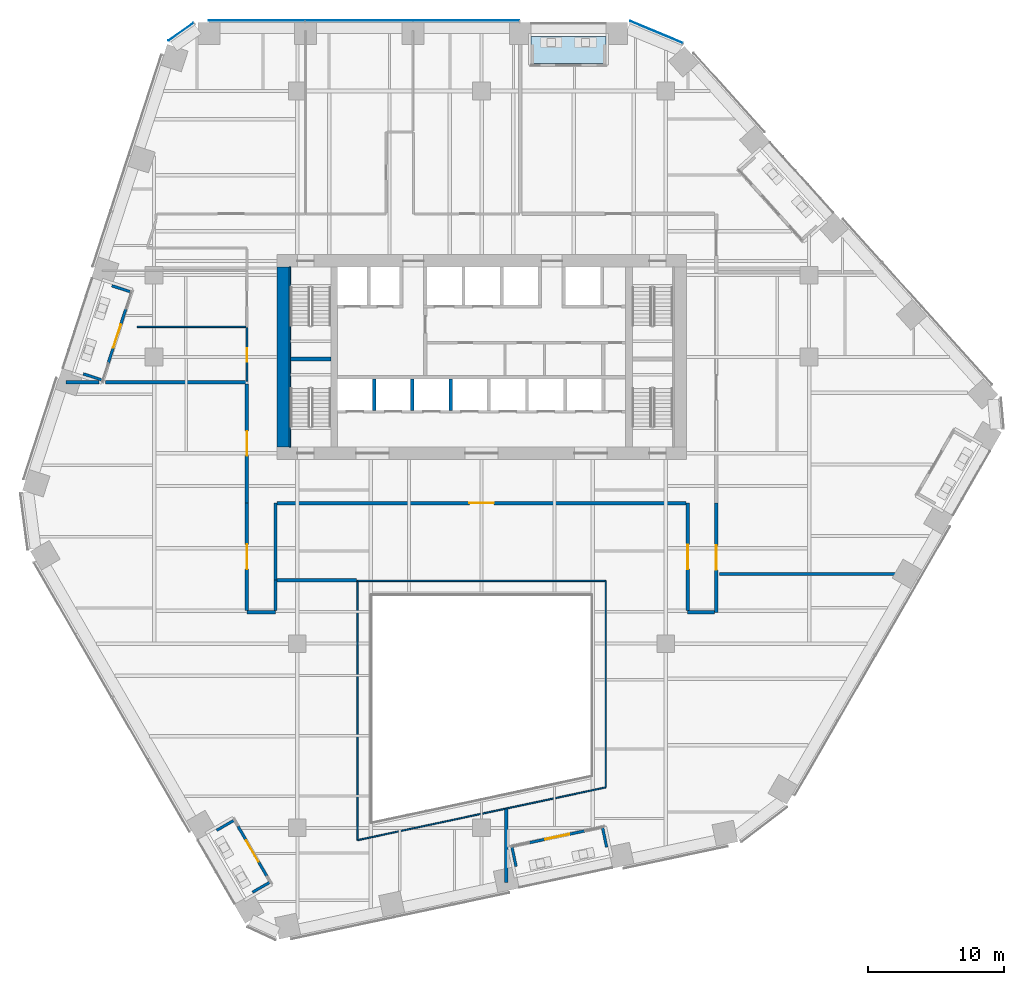
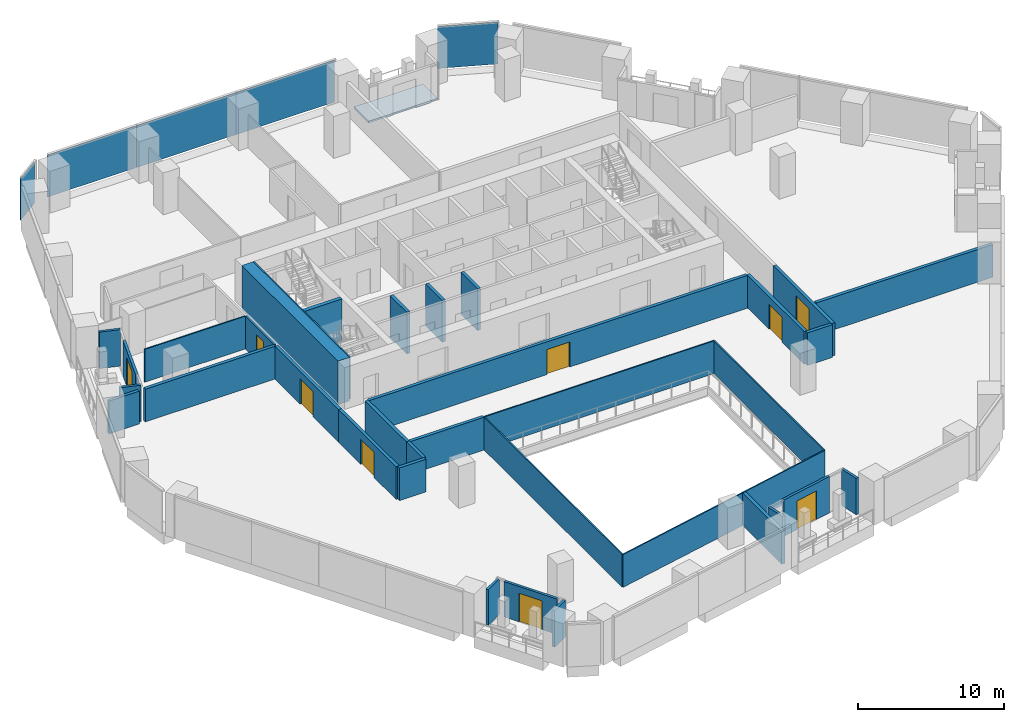
# One storey, part 20 of 28: 35 walls, 9 doors, 5 plates, 1 slab, 9 openings, 3 elements without a shape of their own.
"""IFC4 building model written with IfcOpenShell, lengths in metres."""

from ifc_helpers import new_model, si_unit, direction, frame, frame_2d, origin, origin_2d, place, context, subcontext, project, spatial, polyline, rectangle, outline, extrude, material, layer, layer_set, type_object, element, fill, aggregate, save


model = new_model("IFC4")

# Units and contexts
model_context = context("Model", 3, precision=1e-05, world=origin(), true_north=direction((0.0, 1.0)))
body_context = subcontext(model_context, "Body", "Model", "MODEL_VIEW")
ifc_project = project(units=[si_unit("LENGTHUNIT", "METRE"), si_unit("AREAUNIT", "SQUARE_METRE"), si_unit("VOLUMEUNIT", "CUBIC_METRE"), si_unit("PLANEANGLEUNIT", "RADIAN"), si_unit("MASSUNIT", "GRAM", prefix="KILO")], contexts=[model_context])

# Site, building, storey
site_placement = place(None, origin())
site = spatial("IfcSite", under=ifc_project, at=site_placement, CompositionType="ELEMENT")
building_placement = place(site_placement, origin())
building = spatial("IfcBuilding", under=site, at=building_placement, Name="Isthmus Gate Tower", CompositionType="ELEMENT")
storey_placement = place(building_placement, frame((0.0, 0.0, 98.89990234375)))
storey = spatial("IfcBuildingStorey", under=building, at=storey_placement, Name="L23", CompositionType="ELEMENT", Elevation=98.89990234375)

# Curtain wall, plates
ifc_material_1 = material(Name="Aluminium, pale champagne anodised", Category="aluminium")
ifc_layer_1 = layer(ifc_material_1, 0.199951171875)
ifc_layer_set_1 = layer_set([ifc_layer_1], Name="CW-1 UNITISED CURTAIN WALL 200 DEEP")
curtain_wall_type = type_object("IfcCurtainWallType", Name="CW-1 UNITISED CURTAIN WALL 200 DEEP", PredefinedType="NOTDEFINED", material=ifc_layer_set_1)
curtain_wall_1_placement = place(storey_placement, origin())
curtain_wall_1 = element("IfcCurtainWall", 1, at=curtain_wall_1_placement, inside=storey, type_object=curtain_wall_type, Name="CW-1 N L23", PredefinedType="NOTDEFINED")
ifc_material_2 = material(Name="Laminated low-iron glass, pale blue tint", Category="glass")
ifc_layer_2 = layer(ifc_material_2, 0.0400390625)
ifc_layer_set_2 = layer_set([ifc_layer_2], Name="CW-1 CLEAR GLASS LITE 40")
plate_type = type_object("IfcPlateType", Name="CW-1 CLEAR GLASS LITE 40", PredefinedType="CURTAIN_PANEL", material=ifc_layer_set_2)
plate_1_placement = place(storey_placement, frame((-1.13232421875, 32.179931640625, 0.0), z_axis=(0.0, 0.0, 1.0), x_axis=(-1.0, 0.0, 0.0)))
plate_1 = element("IfcPlate", 2, at=plate_1_placement, type_object=plate_type, Name="CW-1 glass lite", PredefinedType="CURTAIN_PANEL", context=body_context, shape_type="SweptSolid", body=[
    extrude(rectangle(XDim=7.8095703125, YDim=0.0400390625, at=origin_2d()), origin(), (0.0, 0.0, 1.0), 3.5),
])
plate_2_placement = place(storey_placement, frame((-8.971923828125, 32.179931640625, 0.0), z_axis=(0.0, 0.0, 1.0), x_axis=(-1.0, 0.0, 0.0)))
plate_2 = element("IfcPlate", 3, at=plate_2_placement, type_object=plate_type, Name="CW-1 glass lite", PredefinedType="CURTAIN_PANEL", context=body_context, shape_type="SweptSolid", body=[
    extrude(rectangle(XDim=7.86962890625, YDim=0.0400390625, at=origin_2d()), origin(), (0.0, 0.0, 1.0), 3.5),
])
plate_3_placement = place(storey_placement, frame((-16.471435546875, 32.179931640625, 0.0), z_axis=(0.0, 0.0, 1.0), x_axis=(-1.0, 0.0, 0.0)))
plate_3 = element("IfcPlate", 4, at=plate_3_placement, type_object=plate_type, Name="CW-1 glass lite", PredefinedType="CURTAIN_PANEL", context=body_context, shape_type="SweptSolid", body=[
    extrude(rectangle(XDim=7.009521484375, YDim=0.0400390625, at=origin_2d()), origin(), (0.0, 0.0, 1.0), 3.5),
])
aggregate(curtain_wall_1, [plate_1, plate_2, plate_3])

# Curtain wall, plate
curtain_wall_2_placement = place(storey_placement, origin())
curtain_wall_2 = element("IfcCurtainWall", 5, at=curtain_wall_2_placement, inside=storey, type_object=curtain_wall_type, Name="CW-1 N-NW L23", PredefinedType="NOTDEFINED")
plate_4_placement = place(storey_placement, frame((-22.025146484375, 31.341552734375, 0.0), z_axis=(0.0, 0.0, 1.0), x_axis=(-0.81785959165, -0.57541783805, 0.0)))
plate_4 = element("IfcPlate", 6, at=plate_4_placement, type_object=plate_type, Name="CW-1 glass lite", PredefinedType="CURTAIN_PANEL", context=body_context, shape_type="SweptSolid", body=[
    extrude(rectangle(XDim=2.258544921875, YDim=0.0400390625, at=origin_2d()), origin(), (0.0, 0.0, 1.0), 3.5),
])
aggregate(curtain_wall_2, [plate_4])

curtain_wall_3_placement = place(storey_placement, origin())
curtain_wall_3 = element("IfcCurtainWall", 7, at=curtain_wall_3_placement, inside=storey, type_object=curtain_wall_type, Name="CW-1 NE-N L23", PredefinedType="NOTDEFINED")
plate_5_placement = place(storey_placement, frame((12.816650390625, 31.315673828125, 0.0), z_axis=(0.0, 0.0, 1.0), x_axis=(-0.923353128387, 0.383951820282, 0.0)))
plate_5 = element("IfcPlate", 8, at=plate_5_placement, type_object=plate_type, Name="CW-1 glass lite", PredefinedType="CURTAIN_PANEL", context=body_context, shape_type="SweptSolid", body=[
    extrude(rectangle(XDim=4.181396484375, YDim=0.0400390625, at=origin_2d()), origin(), (0.0, 0.0, 1.0), 3.5),
])
aggregate(curtain_wall_3, [plate_5])

# Slab
ifc_material_3 = material(Name="Concrete f'c 50 MPa", Category="concrete")
ifc_layer_3 = layer(ifc_material_3, 0.14990234375)
ifc_layer_set_3 = layer_set([ifc_layer_3], Name="LOGGIA FLOOR SLAB 150")
slab_type = type_object("IfcSlabType", Name="LOGGIA FLOOR SLAB 150", PredefinedType="FLOOR", material=ifc_layer_set_3)
slab_placement = place(storey_placement, frame((0.0, 0.0, -0.14990234375)))
element("IfcSlab", 9, at=slab_placement, inside=storey, type_object=slab_type, Name="LOGGIA FLOOR", PredefinedType="FLOOR", context=body_context, shape_type="SweptSolid", body=[
    extrude(outline(polyline([(9.101806640625, 31.0), (3.63232421875, 31.0), (3.63232421875, 29.0), (9.101806640625, 29.0), (9.101806640625, 31.0)])), origin(), (0.0, 0.0, 1.0), 0.14990234375),
])

# Wall, opening, door
ifc_material_4 = material(Name="Double-leaf acoustic stud wall, fire-rated", Category="gypsum")
ifc_layer_4 = layer(ifc_material_4, 0.25)
ifc_layer_set_4 = layer_set([ifc_layer_4], Name="ACOUSTIC WALL 250 60 MIN")
wall_type_1 = type_object("IfcWallType", Name="ACOUSTIC WALL 250 60 MIN", PredefinedType="PARTITIONING", material=ifc_layer_set_4)
wall_1_placement = place(storey_placement, frame((14.97509765625, -3.199951171875, 0.0), z_axis=(0.0, 0.0, 1.0), x_axis=(-1.0, 0.0, 0.0)))
wall_1 = element("IfcWall", 10, at=wall_1_placement, inside=storey, type_object=wall_type_1, Name="L23 Acoustic Wall 250 60 Min", PredefinedType="PARTITIONING", context=body_context, shape_type="SweptSolid", body=[
    extrude(rectangle(XDim=29.9501953125, YDim=0.25, at=frame_2d((14.97509765625, 0.0))), origin(), (0.0, 0.0, 1.0), 2.7412109375),
])
opening_1_placement = place(wall_1_placement, frame((14.074951171875, 0.0, 0.0)))
opening_1 = element("IfcOpeningElement", 11, at=opening_1_placement, cuts=wall_1, Name="Opening DT-T2B-12", PredefinedType="OPENING", context=body_context, shape_type="SweptSolid", body=[
    extrude(rectangle(XDim=1.800048828125, YDim=2.10009765625, at=frame_2d((0.89990234375, 1.050048828125))), frame((0.0, 0.135009765625, 0.0), z_axis=(0.0, -1.0, 0.0), x_axis=(1.0, 0.0, 0.0)), (0.0, 0.0, 1.0), 0.27001953125),
])
ifc_material_5 = material(Name="Solid core timber door leaf, fire-rated", Category="wood")
door_type_1 = type_object("IfcDoorType", Name="FIRE DOOR ACOUSTIC ROOM 1800 X 2100 60 MIN", OperationType="DOUBLE_DOOR_DOUBLE_SWING", PredefinedType="DOOR", material=ifc_material_5)
door_1_placement = place(opening_1_placement, origin())
door_1 = element("IfcDoor", 12, at=door_1_placement, inside=storey, type_object=door_type_1, Name="L23 room door", OperationType="DOUBLE_DOOR_DOUBLE_SWING", OverallHeight=2.10009765625, OverallWidth=1.800048828125, PredefinedType="DOOR", context=body_context, shape_type="SweptSolid", body=[
    extrude(rectangle(XDim=1.800048828125, YDim=2.10009765625, at=frame_2d((0.89990234375, 1.050048828125))), frame((0.0, 0.02490234375, 0.0), z_axis=(0.0, -1.0, 0.0), x_axis=(1.0, 0.0, 0.0)), (0.0, 0.0, 1.0), 0.050048828125),
])
fill(opening_1, door_1)

wall_2_placement = place(storey_placement, frame((17.197998046875, -3.18798828125, 0.0), z_axis=(0.0, 0.0, 1.0), x_axis=(0.0, -1.0, 0.0)))
wall_2 = element("IfcWall", 13, at=wall_2_placement, inside=storey, type_object=wall_type_1, Name="L23 Acoustic Wall 250 60 Min", PredefinedType="PARTITIONING", context=body_context, shape_type="SweptSolid", body=[
    extrude(rectangle(XDim=8.011962890625, YDim=0.25, at=frame_2d((4.005859375, 0.0))), origin(), (0.0, 0.0, 1.0), 2.7412109375),
])
opening_2_placement = place(wall_2_placement, frame((3.10595703125, 0.0, 0.0)))
opening_2 = element("IfcOpeningElement", 14, at=opening_2_placement, cuts=wall_2, Name="Opening DT-T2B-09", PredefinedType="OPENING", context=body_context, shape_type="SweptSolid", body=[
    extrude(rectangle(XDim=1.800048828125, YDim=2.10009765625, at=frame_2d((0.89990234375, 1.050048828125))), frame((0.0, 0.135009765625, 0.0), z_axis=(0.0, -1.0, 0.0), x_axis=(1.0, 0.0, 0.0)), (0.0, 0.0, 1.0), 0.27001953125),
])
door_2_placement = place(opening_2_placement, origin())
door_2 = element("IfcDoor", 15, at=door_2_placement, inside=storey, type_object=door_type_1, Name="L23 room door", OperationType="DOUBLE_DOOR_DOUBLE_SWING", OverallHeight=2.10009765625, OverallWidth=1.800048828125, PredefinedType="DOOR", context=body_context, shape_type="SweptSolid", body=[
    extrude(rectangle(XDim=1.800048828125, YDim=2.10009765625, at=frame_2d((0.89990234375, 1.050048828125))), frame((0.0, 0.02490234375, 0.0), z_axis=(0.0, -1.0, 0.0), x_axis=(1.0, 0.0, 0.0)), (0.0, 0.0, 1.0), 0.050048828125),
])
fill(opening_2, door_2)

# Walls
wall_3_placement = place(storey_placement, frame((-15.10009765625, -11.199951171875, 0.0), z_axis=(0.0, 0.0, 1.0), x_axis=(-1.0, 0.0, 0.0)))
element("IfcWall", 16, at=wall_3_placement, inside=storey, type_object=wall_type_1, Name="L23 Acoustic Wall 250 60 Min", PredefinedType="PARTITIONING", context=body_context, shape_type="SweptSolid", body=[
    extrude(rectangle(XDim=2.097900390625, YDim=0.25, at=frame_2d((1.048828125, 0.0))), origin(), (0.0, 0.0, 1.0), 2.7412109375),
])
wall_4_placement = place(storey_placement, frame((-15.10009765625, -8.85009765625, 0.0), z_axis=(0.0, 0.0, 1.0), x_axis=(0.0, -1.0, 0.0)))
element("IfcWall", 17, at=wall_4_placement, inside=storey, type_object=wall_type_1, Name="L23 Acoustic Wall 250 60 Min", PredefinedType="PARTITIONING", context=body_context, shape_type="SweptSolid", body=[
    extrude(rectangle(XDim=2.224853515625, YDim=0.25, at=frame_2d((1.1123046875, 0.0))), origin(), (0.0, 0.0, 1.0), 2.7412109375),
])
wall_5_placement = place(storey_placement, frame((-15.10009765625, -3.199951171875, 0.0), z_axis=(0.0, 0.0, 1.0), x_axis=(0.0, -1.0, 0.0)))
element("IfcWall", 18, at=wall_5_placement, inside=storey, type_object=wall_type_1, Name="L23 Acoustic Wall 250 60 Min", PredefinedType="PARTITIONING", context=body_context, shape_type="SweptSolid", body=[
    extrude(rectangle(XDim=5.650146484375, YDim=0.25, at=frame_2d((2.8251953125, 0.0))), origin(), (0.0, 0.0, 1.0), 2.7412109375),
])
wall_6_placement = place(storey_placement, frame((17.072998046875, -11.199951171875, 0.0), z_axis=(0.0, 0.0, 1.0), x_axis=(-1.0, 0.0, 0.0)))
element("IfcWall", 19, at=wall_6_placement, inside=storey, type_object=wall_type_1, Name="L23 Acoustic Wall 250 60 Min", PredefinedType="PARTITIONING", context=body_context, shape_type="SweptSolid", body=[
    extrude(rectangle(XDim=1.972900390625, YDim=0.25, at=frame_2d((0.986328125, 0.0))), origin(), (0.0, 0.0, 1.0), 2.7412109375),
])
wall_7_placement = place(storey_placement, frame((-30.44091796875, 5.660888671875, 0.0), z_axis=(0.0, 0.0, 1.0), x_axis=(1.0, 0.0, 0.0)))
element("IfcWall", 20, at=wall_7_placement, inside=storey, type_object=wall_type_1, Name="L23 Acoustic Wall 250 60 Min", PredefinedType="PARTITIONING", context=body_context, shape_type="SweptSolid", body=[
    extrude(rectangle(XDim=2.390625, YDim=0.25, at=frame_2d((1.1953125, 0.0))), origin(), (0.0, 0.0, 1.0), 2.7412109375),
])
wall_8_placement = place(storey_placement, frame((-27.574951171875, 5.660888671875, 0.0), z_axis=(0.0, 0.0, 1.0), x_axis=(1.0, 0.0, 0.0)))
element("IfcWall", 21, at=wall_8_placement, inside=storey, type_object=wall_type_1, Name="L23 Acoustic Wall 250 60 Min", PredefinedType="PARTITIONING", context=body_context, shape_type="SweptSolid", body=[
    extrude(rectangle(XDim=10.300048828125, YDim=0.25, at=frame_2d((5.14990234375, 0.0))), origin(), (0.0, 0.0, 1.0), 2.7412109375),
])
wall_9_placement = place(storey_placement, frame((17.425048828125, -8.39990234375, 0.0), z_axis=(0.0, 0.0, 1.0), x_axis=(1.0, 0.0, 0.0)))
element("IfcWall", 22, at=wall_9_placement, inside=storey, type_object=wall_type_1, Name="L23 Acoustic Wall 250 60 Min", PredefinedType="PARTITIONING", context=body_context, shape_type="SweptSolid", body=[
    extrude(rectangle(XDim=13.98291015625, YDim=0.25, at=frame_2d((6.991455078125, 0.0))), origin(), (0.0, 0.0, 1.0), 2.7412109375),
])

# Wall, opening, door
wall_10_placement = place(storey_placement, frame((-17.199951171875, -3.18798828125, 0.0), z_axis=(0.0, 0.0, 1.0), x_axis=(0.0, 1.0, 0.0)))
wall_10 = element("IfcWall", 23, at=wall_10_placement, inside=storey, type_object=wall_type_1, Name="L23 Acoustic Wall 250 60 Min", PredefinedType="PARTITIONING", context=body_context, shape_type="SweptSolid", body=[
    extrude(rectangle(XDim=8.723876953125, YDim=0.25, at=frame_2d((4.36181640625, 0.0))), origin(), (0.0, 0.0, 1.0), 2.7412109375),
])
opening_3_placement = place(wall_10_placement, frame((3.4619140625, 0.0, 0.0)))
opening_3 = element("IfcOpeningElement", 24, at=opening_3_placement, cuts=wall_10, Name="Opening DT-T2B-10", PredefinedType="OPENING", context=body_context, shape_type="SweptSolid", body=[
    extrude(rectangle(XDim=1.800048828125, YDim=2.10009765625, at=frame_2d((0.89990234375, 1.050048828125))), frame((0.0, 0.135009765625, 0.0), z_axis=(0.0, -1.0, 0.0), x_axis=(1.0, 0.0, 0.0)), (0.0, 0.0, 1.0), 0.27001953125),
])
door_3_placement = place(opening_3_placement, origin())
door_3 = element("IfcDoor", 25, at=door_3_placement, inside=storey, type_object=door_type_1, Name="L23 room door", OperationType="DOUBLE_DOOR_DOUBLE_SWING", OverallHeight=2.10009765625, OverallWidth=1.800048828125, PredefinedType="DOOR", context=body_context, shape_type="SweptSolid", body=[
    extrude(rectangle(XDim=1.800048828125, YDim=2.10009765625, at=frame_2d((0.89990234375, 1.050048828125))), frame((0.0, 0.02490234375, 0.0), z_axis=(0.0, -1.0, 0.0), x_axis=(1.0, 0.0, 0.0)), (0.0, 0.0, 1.0), 0.050048828125),
])
fill(opening_3, door_3)

wall_11_placement = place(storey_placement, frame((-17.197998046875, -11.074951171875, 0.0), z_axis=(0.0, 0.0, 1.0), x_axis=(0.0, 1.0, 0.0)))
wall_11 = element("IfcWall", 26, at=wall_11_placement, inside=storey, type_object=wall_type_1, Name="L23 Acoustic Wall 250 60 Min", PredefinedType="PARTITIONING", context=body_context, shape_type="SweptSolid", body=[
    extrude(rectangle(XDim=7.886962890625, YDim=0.25, at=frame_2d((3.943359375, 0.0))), origin(), (0.0, 0.0, 1.0), 2.7412109375),
])
opening_4_placement = place(wall_11_placement, frame((3.04345703125, 0.0, 0.0)))
opening_4 = element("IfcOpeningElement", 27, at=opening_4_placement, cuts=wall_11, Name="Opening DT-T2B-11", PredefinedType="OPENING", context=body_context, shape_type="SweptSolid", body=[
    extrude(rectangle(XDim=1.800048828125, YDim=2.10009765625, at=frame_2d((0.89990234375, 1.050048828125))), frame((0.0, 0.135009765625, 0.0), z_axis=(0.0, -1.0, 0.0), x_axis=(1.0, 0.0, 0.0)), (0.0, 0.0, 1.0), 0.27001953125),
])
door_4_placement = place(opening_4_placement, origin())
door_4 = element("IfcDoor", 28, at=door_4_placement, inside=storey, type_object=door_type_1, Name="L23 room door", OperationType="DOUBLE_DOOR_DOUBLE_SWING", OverallHeight=2.10009765625, OverallWidth=1.800048828125, PredefinedType="DOOR", context=body_context, shape_type="SweptSolid", body=[
    extrude(rectangle(XDim=1.800048828125, YDim=2.10009765625, at=frame_2d((0.89990234375, 1.050048828125))), frame((0.0, 0.02490234375, 0.0), z_axis=(0.0, -1.0, 0.0), x_axis=(1.0, 0.0, 0.0)), (0.0, 0.0, 1.0), 0.050048828125),
])
fill(opening_4, door_4)

# Wall
wall_12_placement = place(storey_placement, frame((1.81103515625, -31.001953125, 0.0), z_axis=(0.0, 0.0, 1.0), x_axis=(0.0, 1.0, 0.0)))
element("IfcWall", 29, at=wall_12_placement, inside=storey, type_object=wall_type_1, Name="L23 Acoustic Wall 250 60 Min", PredefinedType="PARTITIONING", context=body_context, shape_type="SweptSolid", body=[
    extrude(rectangle(XDim=5.367919921875, YDim=0.25, at=frame_2d((2.68408203125, 0.0))), origin(), (0.0, 0.0, 1.0), 2.7412109375),
])

# Wall, opening, door
wall_13_placement = place(storey_placement, frame((15.10009765625, -11.074951171875, 0.0), z_axis=(0.0, 0.0, 1.0), x_axis=(0.0, 1.0, 0.0)))
wall_13 = element("IfcWall", 30, at=wall_13_placement, inside=storey, type_object=wall_type_1, Name="L23 Acoustic Wall 250 60 Min", PredefinedType="PARTITIONING", context=body_context, shape_type="SweptSolid", body=[
    extrude(rectangle(XDim=7.875, YDim=0.25, at=frame_2d((3.9375, 0.0))), origin(), (0.0, 0.0, 1.0), 2.7412109375),
])
opening_5_placement = place(wall_13_placement, frame((3.03759765625, 0.0, 0.0)))
opening_5 = element("IfcOpeningElement", 31, at=opening_5_placement, cuts=wall_13, Name="Opening DT-T2B-13", PredefinedType="OPENING", context=body_context, shape_type="SweptSolid", body=[
    extrude(rectangle(XDim=1.800048828125, YDim=2.10009765625, at=frame_2d((0.89990234375, 1.050048828125))), frame((0.0, 0.135009765625, 0.0), z_axis=(0.0, -1.0, 0.0), x_axis=(1.0, 0.0, 0.0)), (0.0, 0.0, 1.0), 0.27001953125),
])
door_5_placement = place(opening_5_placement, origin())
door_5 = element("IfcDoor", 32, at=door_5_placement, inside=storey, type_object=door_type_1, Name="L23 room door", OperationType="DOUBLE_DOOR_DOUBLE_SWING", OverallHeight=2.10009765625, OverallWidth=1.800048828125, PredefinedType="DOOR", context=body_context, shape_type="SweptSolid", body=[
    extrude(rectangle(XDim=1.800048828125, YDim=2.10009765625, at=frame_2d((0.89990234375, 1.050048828125))), frame((0.0, 0.02490234375, 0.0), z_axis=(0.0, -1.0, 0.0), x_axis=(1.0, 0.0, 0.0)), (0.0, 0.0, 1.0), 0.050048828125),
])
fill(opening_5, door_5)

# Walls
wall_14_placement = place(storey_placement, frame((-9.14990234375, -8.85009765625, 0.0), z_axis=(0.0, 0.0, 1.0), x_axis=(-1.0, 0.0, 0.0)))
element("IfcWall", 33, at=wall_14_placement, inside=storey, type_object=wall_type_1, Name="L23 Acoustic Wall 250 60 Min", PredefinedType="PARTITIONING", context=body_context, shape_type="SweptSolid", body=[
    extrude(rectangle(XDim=5.8251953125, YDim=0.25, at=frame_2d((2.91259765625, 0.0))), origin(), (0.0, 0.0, 1.0), 2.7412109375),
])
ifc_material_6 = material(Name="Fire-rated laminated glass in steel frame", Category="steel")
ifc_layer_5 = layer(ifc_material_6, 0.10009765625)
ifc_layer_set_5 = layer_set([ifc_layer_5], Name="ATRIUM SCREEN GLAZED WALL 100 120 MIN")
wall_type_2 = type_object("IfcWallType", Name="ATRIUM SCREEN GLAZED WALL 100 120 MIN", PredefinedType="PARTITIONING", material=ifc_layer_set_5)
wall_15_placement = place(storey_placement, frame((-9.10009765625, -8.89990234375, 0.0), z_axis=(0.0, 0.0, 1.0), x_axis=(1.0, 0.0, 0.0)))
element("IfcWall", 34, at=wall_15_placement, inside=storey, type_object=wall_type_2, Name="L23 atrium screen", PredefinedType="PARTITIONING", context=body_context, shape_type="SweptSolid", body=[
    extrude(rectangle(XDim=18.2001953125, YDim=0.10009765625, at=frame_2d((9.10009765625, 0.0))), origin(), (0.0, 0.0, 1.0), 2.7412109375),
])
wall_16_placement = place(storey_placement, frame((9.10009765625, -8.89990234375, 0.0), z_axis=(0.0, 0.0, 1.0), x_axis=(0.0, -1.0, 0.0)))
element("IfcWall", 35, at=wall_16_placement, inside=storey, type_object=wall_type_2, Name="L23 atrium screen", PredefinedType="PARTITIONING", context=body_context, shape_type="SweptSolid", body=[
    extrude(rectangle(XDim=15.134033203125, YDim=0.10009765625, at=frame_2d((7.56689453125, 0.0))), origin(), (0.0, 0.0, 1.0), 2.7412109375),
])
wall_17_placement = place(storey_placement, frame((9.10009765625, -24.033935546875, 0.0), z_axis=(0.0, 0.0, 1.0), x_axis=(-0.978146710971, -0.207915876778, 0.0)))
element("IfcWall", 36, at=wall_17_placement, inside=storey, type_object=wall_type_2, Name="L23 atrium screen", PredefinedType="PARTITIONING", context=body_context, shape_type="SweptSolid", body=[
    extrude(rectangle(XDim=18.60693359375, YDim=0.10009765625, at=frame_2d((9.303466796875, 0.0))), origin(), (0.0, 0.0, 1.0), 2.7412109375),
])
wall_18_placement = place(storey_placement, frame((-9.10009765625, -27.902587890625, 0.0), z_axis=(0.0, 0.0, 1.0), x_axis=(0.0, 1.0, 0.0)))
element("IfcWall", 37, at=wall_18_placement, inside=storey, type_object=wall_type_2, Name="L23 atrium screen", PredefinedType="PARTITIONING", context=body_context, shape_type="SweptSolid", body=[
    extrude(rectangle(XDim=19.002685546875, YDim=0.10009765625, at=frame_2d((9.50146484375, 0.0))), origin(), (0.0, 0.0, 1.0), 2.7412109375),
])

# Wall, opening, door
ifc_material_7 = material(Name="Gypsum board on steel studs, fire-rated", Category="steel")
ifc_layer_6 = layer(ifc_material_7, 0.14990234375)
ifc_layer_set_6 = layer_set([ifc_layer_6], Name="CORRIDOR WALL 150 60 MIN")
wall_type_3 = type_object("IfcWallType", Name="CORRIDOR WALL 150 60 MIN", PredefinedType="PARTITIONING", material=ifc_layer_set_6)
wall_19_placement = place(storey_placement, frame((-17.199951171875, 5.7109375, 0.0), z_axis=(0.0, 0.0, 1.0), x_axis=(0.0, 1.0, 0.0)))
wall_19 = element("IfcWall", 38, at=wall_19_placement, inside=storey, type_object=wall_type_3, Name="L23 Corridor Wall 150 60 Min", PredefinedType="PARTITIONING", context=body_context, shape_type="SweptSolid", body=[
    extrude(rectangle(XDim=3.953125, YDim=0.14990234375, at=frame_2d((1.9765625, 0.0))), origin(), (0.0, 0.0, 1.0), 2.7412109375),
])
opening_6_placement = place(wall_19_placement, frame((1.451416015625, 0.0, 0.0)))
opening_6 = element("IfcOpeningElement", 39, at=opening_6_placement, cuts=wall_19, Name="Opening DT-T2B-07", PredefinedType="OPENING", context=body_context, shape_type="SweptSolid", body=[
    extrude(rectangle(XDim=1.0, YDim=2.10009765625, at=frame_2d((0.5, 1.050048828125))), frame((0.0, 0.0849609375, 0.0), z_axis=(0.0, -1.0, 0.0), x_axis=(1.0, 0.0, 0.0)), (0.0, 0.0, 1.0), 0.169921875),
])
ifc_material_8 = material(Name="Solid core timber door leaf, fire-rated", Category="wood")
door_type_2 = type_object("IfcDoorType", Name="FIRE DOOR ROOM 1000 X 2100 60 MIN", OperationType="SINGLE_SWING_LEFT", PredefinedType="DOOR", material=ifc_material_8)
door_6_placement = place(opening_6_placement, origin())
door_6 = element("IfcDoor", 40, at=door_6_placement, inside=storey, type_object=door_type_2, Name="L23 room door", OperationType="SINGLE_SWING_RIGHT", OverallHeight=2.10009765625, OverallWidth=1.0, PredefinedType="DOOR", context=body_context, shape_type="SweptSolid", body=[
    extrude(rectangle(XDim=1.0, YDim=2.10009765625, at=frame_2d((0.5, 1.050048828125))), frame((0.0, 0.02490234375, 0.0), z_axis=(0.0, -1.0, 0.0), x_axis=(1.0, 0.0, 0.0)), (0.0, 0.0, 1.0), 0.050048828125),
])
fill(opening_6, door_6)

ifc_material_9 = material(Name="Precast concrete C40/50", Category="concrete")
ifc_layer_7 = layer(ifc_material_9, 0.199951171875)
ifc_layer_set_7 = layer_set([ifc_layer_7], Name="LOGGIA WALL 200")
wall_type_4 = type_object("IfcWallType", Name="LOGGIA WALL 200", PredefinedType="SOLIDWALL", material=ifc_layer_set_7)
wall_20_placement = place(storey_placement, frame((-26.067626953125, 11.03173828125, 0.0), z_axis=(0.0, 0.0, 1.0), x_axis=(-0.30901640812, -0.951056706781, 0.0)))
wall_20 = element("IfcWall", 41, at=wall_20_placement, inside=storey, type_object=wall_type_4, Name="LOGGIA BACK WALL", PredefinedType="SOLIDWALL", context=body_context, shape_type="SweptSolid", body=[
    extrude(rectangle(XDim=4.199951171875, YDim=0.199951171875, at=frame_2d((2.10009765625, 0.0))), origin(), (0.0, 0.0, 1.0), 2.966796875),
])
opening_7_placement = place(wall_20_placement, frame((1.199951171875, 0.0, 0.0)))
opening_7 = element("IfcOpeningElement", 42, at=opening_7_placement, cuts=wall_20, Name="Opening DE23-02", PredefinedType="OPENING", context=body_context, shape_type="SweptSolid", body=[
    extrude(rectangle(XDim=1.800048828125, YDim=2.39990234375, at=frame_2d((0.89990234375, 1.199951171875))), frame((0.0, 0.10986328125, 0.0), z_axis=(0.0, -1.0, 0.0), x_axis=(1.0, 0.0, 0.0)), (0.0, 0.0, 1.0), 0.219970703125),
])
ifc_material_10 = material(Name="Aluminium, pale champagne anodised, laminated glass", Category="aluminium")
door_type_3 = type_object("IfcDoorType", Name="LOGGIA DOOR SLIDING 1800 X 2400", OperationType="DOUBLE_DOOR_SLIDING", PredefinedType="DOOR", material=ifc_material_10)
door_7_placement = place(opening_7_placement, origin())
door_7 = element("IfcDoor", 43, at=door_7_placement, inside=storey, type_object=door_type_3, Name="DOOR DE23-02", OperationType="SINGLE_SWING_LEFT", OverallHeight=2.39990234375, OverallWidth=1.800048828125, PredefinedType="DOOR", context=body_context, shape_type="SweptSolid", body=[
    extrude(rectangle(XDim=1.800048828125, YDim=2.39990234375, at=frame_2d((0.89990234375, 1.199951171875))), frame((0.0, 0.02490234375, 0.0), z_axis=(0.0, -1.0, 0.0), x_axis=(1.0, 0.0, 0.0)), (0.0, 0.0, 1.0), 0.050048828125),
])
fill(opening_7, door_7)

# Walls
for number, where, z_axis, x_axis, name in (
    (44, (-27.093994140625, 12.7265625, 0.0), (0.0, 0.0, 1.0), (0.951073957858, -0.30896330961, 0.0), "LOGGIA SIDE WALL"),
    (45, (-29.192138671875, 6.26953125, 0.0), (0.0, 0.0, 1.0), (0.951073957858, -0.30896330961, 0.0), "LOGGIA SIDE WALL"),
):
    element("IfcWall", number, at=place(storey_placement, frame(where, z_axis=z_axis, x_axis=x_axis)), inside=storey, type_object=wall_type_4, Name=name, PredefinedType="SOLIDWALL", context=body_context, shape_type="SweptSolid", body=[
        extrude(rectangle(XDim=1.48388671875, YDim=0.199951171875, at=frame_2d((0.741943359375, 0.0))), origin(), (0.0, 0.0, 1.0), 3.050048828125),
    ])

# Wall, opening, door
wall_21_placement = place(storey_placement, frame((-17.850830078125, -26.88134765625, 0.0), z_axis=(0.0, 0.0, 1.0), x_axis=(0.49998411664, -0.866034573852, 0.0)))
wall_21 = element("IfcWall", 46, at=wall_21_placement, inside=storey, type_object=wall_type_4, Name="LOGGIA BACK WALL", PredefinedType="SOLIDWALL", context=body_context, shape_type="SweptSolid", body=[
    extrude(rectangle(XDim=4.199951171875, YDim=0.199951171875, at=frame_2d((2.10009765625, 0.0))), origin(), (0.0, 0.0, 1.0), 2.966796875),
])
opening_8_placement = place(wall_21_placement, frame((1.199951171875, 0.0, 0.0)))
opening_8 = element("IfcOpeningElement", 47, at=opening_8_placement, cuts=wall_21, Name="Opening DE23-03", PredefinedType="OPENING", context=body_context, shape_type="SweptSolid", body=[
    extrude(rectangle(XDim=1.800048828125, YDim=2.39990234375, at=frame_2d((0.89990234375, 1.199951171875))), frame((0.0, 0.10986328125, 0.0), z_axis=(0.0, -1.0, 0.0), x_axis=(1.0, 0.0, 0.0)), (0.0, 0.0, 1.0), 0.219970703125),
])
door_8_placement = place(opening_8_placement, origin())
door_8 = element("IfcDoor", 48, at=door_8_placement, inside=storey, type_object=door_type_3, Name="DOOR DE23-03", OperationType="SINGLE_SWING_LEFT", OverallHeight=2.39990234375, OverallWidth=1.800048828125, PredefinedType="DOOR", context=body_context, shape_type="SweptSolid", body=[
    extrude(rectangle(XDim=1.800048828125, YDim=2.39990234375, at=frame_2d((0.89990234375, 1.199951171875))), frame((0.0, 0.02490234375, 0.0), z_axis=(0.0, -1.0, 0.0), x_axis=(1.0, 0.0, 0.0)), (0.0, 0.0, 1.0), 0.050048828125),
])
fill(opening_8, door_8)

# Walls
wall_22_placement = place(storey_placement, frame((-19.410888671875, -27.179443359375, 0.0), z_axis=(0.0, 0.0, 1.0), x_axis=(0.866037643702, 0.499978799242, 0.0)))
element("IfcWall", 49, at=wall_22_placement, inside=storey, type_object=wall_type_4, Name="LOGGIA SIDE WALL", PredefinedType="SOLIDWALL", context=body_context, shape_type="SweptSolid", body=[
    extrude(rectangle(XDim=1.48388671875, YDim=0.199951171875, at=frame_2d((0.741943359375, 0.0))), origin(), (0.0, 0.0, 1.0), 2.966796875),
])
wall_23_placement = place(storey_placement, frame((-16.7890625, -31.720458984375, 0.0), z_axis=(0.0, 0.0, 1.0), x_axis=(0.866037643702, 0.499978799242, 0.0)))
element("IfcWall", 50, at=wall_23_placement, inside=storey, type_object=wall_type_4, Name="LOGGIA SIDE WALL", PredefinedType="SOLIDWALL", context=body_context, shape_type="SweptSolid", body=[
    extrude(rectangle(XDim=1.48388671875, YDim=0.199951171875, at=frame_2d((0.741943359375, 0.0))), origin(), (0.0, 0.0, 1.0), 3.050048828125),
])

# Wall, opening, door
wall_24_placement = place(storey_placement, frame((3.47998046875, -28.091064453125, 0.0), z_axis=(0.0, 0.0, 1.0), x_axis=(0.978143927149, 0.207928972925, 0.0)))
wall_24 = element("IfcWall", 51, at=wall_24_placement, inside=storey, type_object=wall_type_4, Name="LOGGIA BACK WALL", PredefinedType="SOLIDWALL", context=body_context, shape_type="SweptSolid", body=[
    extrude(rectangle(XDim=4.199951171875, YDim=0.199951171875, at=frame_2d((2.10009765625, 0.0))), origin(), (0.0, 0.0, 1.0), 3.050048828125),
])
opening_9_placement = place(wall_24_placement, frame((1.199951171875, 0.0, 0.0)))
opening_9 = element("IfcOpeningElement", 52, at=opening_9_placement, cuts=wall_24, Name="Opening DE23-04", PredefinedType="OPENING", context=body_context, shape_type="SweptSolid", body=[
    extrude(rectangle(XDim=1.800048828125, YDim=2.39990234375, at=frame_2d((0.89990234375, 1.199951171875))), frame((0.0, 0.10986328125, 0.0), z_axis=(0.0, -1.0, 0.0), x_axis=(1.0, 0.0, 0.0)), (0.0, 0.0, 1.0), 0.219970703125),
])
door_9_placement = place(opening_9_placement, origin())
door_9 = element("IfcDoor", 53, at=door_9_placement, inside=storey, type_object=door_type_3, Name="DOOR DE23-04", OperationType="SINGLE_SWING_LEFT", OverallHeight=2.39990234375, OverallWidth=1.800048828125, PredefinedType="DOOR", context=body_context, shape_type="SweptSolid", body=[
    extrude(rectangle(XDim=1.800048828125, YDim=2.39990234375, at=frame_2d((0.89990234375, 1.199951171875))), frame((0.0, 0.02490234375, 0.0), z_axis=(0.0, -1.0, 0.0), x_axis=(1.0, 0.0, 0.0)), (0.0, 0.0, 1.0), 0.050048828125),
])
fill(opening_9, door_9)

# Walls
for number, where, z_axis, x_axis, name in (
    (54, (2.525390625, -29.827392578125, 0.0), (0.0, 0.0, 1.0), (-0.207966982339, 0.978135846525, 0.0), "LOGGIA SIDE WALL"),
    (55, (9.166259765625, -28.415771484375, 0.0), (0.0, 0.0, 1.0), (-0.207809559424, 0.978169303859, 0.0), "LOGGIA SIDE WALL"),
):
    element("IfcWall", number, at=place(storey_placement, frame(where, z_axis=z_axis, x_axis=x_axis)), inside=storey, type_object=wall_type_4, Name=name, PredefinedType="SOLIDWALL", context=body_context, shape_type="SweptSolid", body=[
        extrude(rectangle(XDim=1.48388671875, YDim=0.199951171875, at=frame_2d((0.741943359375, 0.0))), origin(), (0.0, 0.0, 1.0), 3.050048828125),
    ])
ifc_material_11 = material(Name="Concrete f'c 70 MPa", Category="concrete")
ifc_layer_8 = layer(ifc_material_11, 0.89990234375)
ifc_layer_set_8 = layer_set([ifc_layer_8], Name="RC CORE WALL 900 F'C 70")
wall_type_5 = type_object("IfcWallType", Name="RC CORE WALL 900 F'C 70", PredefinedType="SOLIDWALL", material=ifc_layer_set_8)
wall_25_placement = place(storey_placement, frame((-14.550048828125, 0.89990234375, -0.14990234375), z_axis=(0.0, 0.0, 1.0), x_axis=(0.0, 1.0, 0.0)))
element("IfcWall", 56, at=wall_25_placement, inside=storey, type_object=wall_type_5, Name="str-corewall-L23-W", PredefinedType="SOLIDWALL", context=body_context, shape_type="SweptSolid", body=[
    extrude(rectangle(XDim=13.2001953125, YDim=0.89990234375, at=frame_2d((6.60009765625, 0.0))), origin(), (0.0, 0.0, 1.0), 3.64990234375),
])
ifc_material_12 = material(Name="Gypsum board on steel studs, fire-rated", Category="steel")
ifc_layer_9 = layer(ifc_material_12, 0.10009765625)
ifc_layer_set_9 = layer_set([ifc_layer_9], Name="ROOM PARTITION 100 30 MIN")
wall_type_6 = type_object("IfcWallType", Name="ROOM PARTITION 100 30 MIN", PredefinedType="PARTITIONING", material=ifc_layer_set_9)
wall_26_placement = place(storey_placement, frame((-25.237060546875, 9.714111328125, 0.0), z_axis=(0.0, 0.0, 1.0), x_axis=(1.0, 0.0, 0.0)))
element("IfcWall", 57, at=wall_26_placement, inside=storey, type_object=wall_type_6, Name="L23 Room Partition 100 30 Min", PredefinedType="PARTITIONING", context=body_context, shape_type="SweptSolid", body=[
    extrude(rectangle(XDim=7.962158203125, YDim=0.10009765625, at=frame_2d((3.98095703125, 0.0))), origin(), (0.0, 0.0, 1.0), 2.7412109375),
])
ifc_material_13 = material(Name="Fire-rated blockwork masonry, 15 MPa", Category="masonry")
ifc_layer_10 = layer(ifc_material_13, 0.25)
ifc_layer_set_10 = layer_set([ifc_layer_10], Name="SHAFT WALL 250 120 MIN")
wall_type_7 = type_object("IfcWallType", Name="SHAFT WALL 250 120 MIN", PredefinedType="PARTITIONING", material=ifc_layer_set_10)
for number, where, z_axis, x_axis, name in (
    (58, (-7.875, 3.60009765625, 0.0), (0.0, 0.0, 1.0), (0.0, 1.0, 0.0), "L23 SHAFT WALL 250 120 MIN"),
    (59, (-5.074951171875, 3.60009765625, 0.0), (0.0, 0.0, 1.0), (0.0, 1.0, 0.0), "L23 SHAFT WALL 250 120 MIN"),
    (60, (-2.27490234375, 3.60009765625, 0.0), (0.0, 0.0, 1.0), (0.0, 1.0, 0.0), "L23 SHAFT WALL 250 120 MIN"),
):
    element("IfcWall", number, at=place(storey_placement, frame(where, z_axis=z_axis, x_axis=x_axis)), inside=storey, type_object=wall_type_7, Name=name, PredefinedType="PARTITIONING", context=body_context, shape_type="SweptSolid", body=[
        extrude(rectangle(XDim=2.2998046875, YDim=0.25, at=frame_2d((1.14990234375, 0.0))), origin(), (0.0, 0.0, 1.0), 3.5),
    ])
ifc_material_14 = material(Name="Concrete f'c 40 MPa", Category="concrete")
ifc_layer_11 = layer(ifc_material_14, 0.10009765625)
ifc_layer_set_11 = layer_set([ifc_layer_11], Name="STAIR ENCLOSURE WALL 100 180 MIN")
wall_type_8 = type_object("IfcWallType", Name="STAIR ENCLOSURE WALL 100 180 MIN", PredefinedType="SOLIDWALL", material=ifc_layer_set_11)
wall_27_placement = place(storey_placement, frame((-14.050048828125, 0.89990234375, 0.0), z_axis=(0.0, 0.0, 1.0), x_axis=(0.0, 1.0, 0.0)))
element("IfcWall", 61, at=wall_27_placement, inside=storey, type_object=wall_type_8, Name="L23 STAIR ENCLOSURE WALL 100 180 MIN", PredefinedType="SOLIDWALL", context=body_context, shape_type="SweptSolid", body=[
    extrude(rectangle(XDim=13.2001953125, YDim=0.10009765625, at=frame_2d((6.60009765625, 0.0))), origin(), (0.0, 0.0, 1.0), 3.5),
])
ifc_material_15 = material(Name="Concrete f'c 40 MPa", Category="concrete")
ifc_layer_12 = layer(ifc_material_15, 0.300048828125)
ifc_layer_set_12 = layer_set([ifc_layer_12], Name="STAIR ENCLOSURE WALL 300 180 MIN")
wall_type_9 = type_object("IfcWallType", Name="STAIR ENCLOSURE WALL 300 180 MIN", PredefinedType="SOLIDWALL", material=ifc_layer_set_12)
wall_28_placement = place(storey_placement, frame((-14.0, 7.35009765625, 0.0), z_axis=(0.0, 0.0, 1.0), x_axis=(1.0, 0.0, 0.0)))
element("IfcWall", 62, at=wall_28_placement, inside=storey, type_object=wall_type_9, Name="L23 STAIR ENCLOSURE WALL 300 180 MIN", PredefinedType="SOLIDWALL", context=body_context, shape_type="SweptSolid", body=[
    extrude(rectangle(XDim=2.949951171875, YDim=0.300048828125, at=frame_2d((1.47509765625, 0.0))), origin(), (0.0, 0.0, 1.0), 3.5),
])

save(model, "model.ifc")
